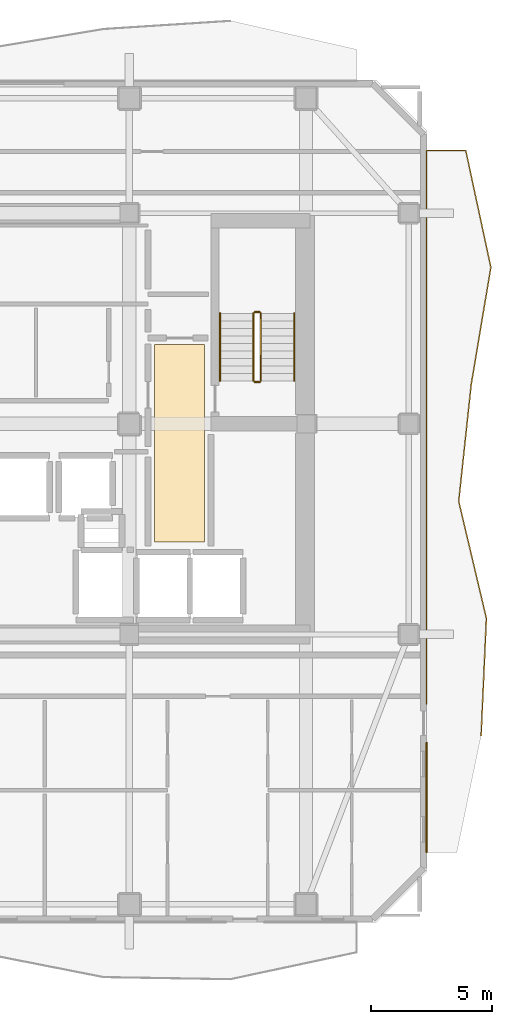
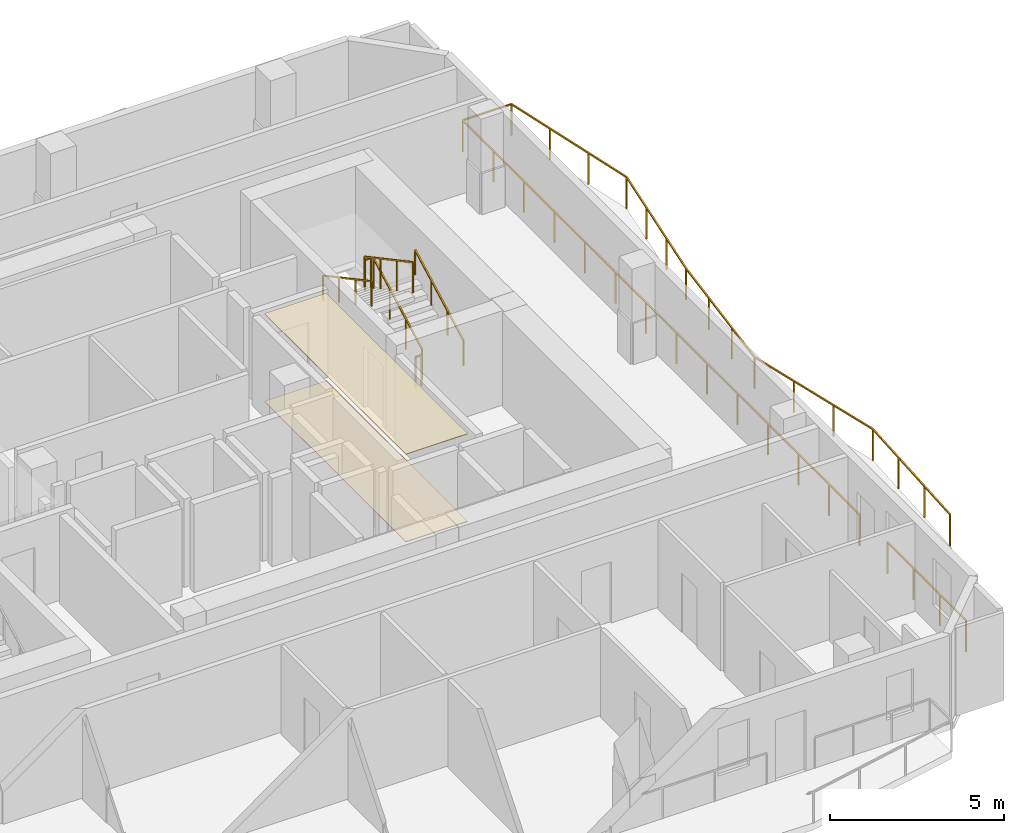
# One storey, part 9 of 10: 8 railings, 2 coverings.
"""IFC4 building model written with IfcOpenShell, lengths in metres."""

from ifc_helpers import new_model, si_unit, direction, frame, origin, origin_2d, place, context, subcontext, project, spatial, polyline, rectangle, outline, extrude, material, layer, layer_set, type_object, element, save


model = new_model("IFC4")

# Units and contexts
model_context = context("Model", 3, precision=1e-05, world=origin(), true_north=direction((0.0, 1.0)))
body_context = subcontext(model_context, "Body", "Model", "MODEL_VIEW")
ifc_project = project(units=[si_unit("LENGTHUNIT", "METRE"), si_unit("AREAUNIT", "SQUARE_METRE"), si_unit("VOLUMEUNIT", "CUBIC_METRE"), si_unit("PLANEANGLEUNIT", "RADIAN"), si_unit("MASSUNIT", "GRAM", prefix="KILO")], contexts=[model_context])

# Site, building, storey
site_placement = place(None, origin())
site = spatial("IfcSite", under=ifc_project, at=site_placement, CompositionType="ELEMENT")
building_placement = place(site_placement, origin())
building = spatial("IfcBuilding", under=site, at=building_placement, Name="Solanera Arch Residences", CompositionType="ELEMENT")
storey_placement = place(building_placement, frame((0.0, 0.0, 200.1201171875)))
storey = spatial("IfcBuildingStorey", under=building, at=storey_placement, Name="L58", CompositionType="ELEMENT", Elevation=200.1201171875)

# Railings
ifc_material_1 = material(Name="Steel S355 (ASTM A992 / A572 Grade 50)", Category="steel")
railing_type_1 = type_object("IfcRailingType", Name="Balustrade Railing BL-1100", PredefinedType="BALUSTRADE", material=ifc_material_1)
railing_1_placement = place(storey_placement, frame((43.737060546875, 17.8330078125, 0.0)))
element("IfcRailing", 1, at=railing_1_placement, inside=storey, type_object=railing_type_1, Name="L58 E Balcony Balustrade 1", PredefinedType="BALUSTRADE", context=body_context, shape_type="SweptSolid", body=[
    extrude(rectangle(XDim=0.048095703125, YDim=0.048095703125, at=origin_2d()), frame((0.0, 0.0, 1.09619140625), z_axis=(0.045055209953, 0.998984498406, 0.0), x_axis=(-0.998984498406, 0.045055209953, 0.0)), (0.0, 0.0, 1.0), 4.8388671875),
    extrude(rectangle(XDim=0.048095703125, YDim=0.048095703125, at=origin_2d()), frame((0.218017578125, 4.833984375, 1.09619140625), z_axis=(-0.230162585951, 0.973152189551, 0.0), x_axis=(-0.973152189551, -0.230162585951, 0.0)), (0.0, 0.0, 1.0), 4.96630859375),
    extrude(rectangle(XDim=0.048095703125, YDim=0.048095703125, at=origin_2d()), frame((-0.925048828125, 9.6669921875, 1.09619140625), z_axis=(0.106384146857, 0.994325104429, 0.0), x_axis=(-0.994325104429, 0.106384146857, 0.0)), (0.0, 0.0, 1.0), 4.860595703125),
    extrude(rectangle(XDim=0.048095703125, YDim=0.048095703125, at=origin_2d()), frame((-0.407958984375, 14.5, 1.09619140625), z_axis=(0.165416624584, 0.986223778009, 0.0), x_axis=(-0.986223778009, 0.165416624584, 0.0)), (0.0, 0.0, 1.0), 4.901611328125),
    extrude(rectangle(XDim=0.048095703125, YDim=0.048095703125, at=origin_2d()), frame((0.40283203125, 19.333984375, 1.09619140625), z_axis=(-0.21014289525, 0.97767068258, 0.0), x_axis=(-0.97767068258, -0.21014289525, 0.0)), (0.0, 0.0, 1.0), 4.943359375),
    extrude(rectangle(XDim=0.048095703125, YDim=0.048095703125, at=origin_2d()), frame((-0.635986328125, 24.1669921875, 1.09619140625), z_axis=(-1.0, 0.0, 0.0), x_axis=(0.0, -1.0, 0.0)), (0.0, 0.0, 1.0), 1.62109375),
    extrude(rectangle(XDim=0.048095703125, YDim=0.048095703125, at=origin_2d()), frame((-2.257080078125, 24.1669921875, 1.09619140625), z_axis=(0.0, -1.0, 0.0), x_axis=(1.0, 0.0, 0.0)), (0.0, 0.0, 1.0), 22.863037109375),
    extrude(rectangle(XDim=0.0419921875, YDim=0.0419921875, at=origin_2d()), origin(), (0.0, 0.0, 1.0), 1.072021484375),
    extrude(rectangle(XDim=0.0419921875, YDim=0.0419921875, at=origin_2d()), frame((0.07275390625, 1.611328125, 0.0)), (0.0, 0.0, 1.0), 1.072021484375),
    extrude(rectangle(XDim=0.0419921875, YDim=0.0419921875, at=origin_2d()), frame((0.145263671875, 3.22265625, 0.0)), (0.0, 0.0, 1.0), 1.072021484375),
    extrude(rectangle(XDim=0.0419921875, YDim=0.0419921875, at=origin_2d()), frame((0.218017578125, 4.833984375, 0.0)), (0.0, 0.0, 1.0), 1.072021484375),
    extrude(rectangle(XDim=0.0419921875, YDim=0.0419921875, at=origin_2d()), frame((-0.1630859375, 6.445068359375, 0.0)), (0.0, 0.0, 1.0), 1.072021484375),
    extrude(rectangle(XDim=0.0419921875, YDim=0.0419921875, at=origin_2d()), frame((-0.5439453125, 8.055908203125, 0.0)), (0.0, 0.0, 1.0), 1.072021484375),
    extrude(rectangle(XDim=0.0419921875, YDim=0.0419921875, at=origin_2d()), frame((-0.925048828125, 9.6669921875, 0.0)), (0.0, 0.0, 1.0), 1.072021484375),
    extrude(rectangle(XDim=0.0419921875, YDim=0.0419921875, at=origin_2d()), frame((-0.752685546875, 11.278076171875, 0.0)), (0.0, 0.0, 1.0), 1.072021484375),
    extrude(rectangle(XDim=0.0419921875, YDim=0.0419921875, at=origin_2d()), frame((-0.580322265625, 12.888916015625, 0.0)), (0.0, 0.0, 1.0), 1.072021484375),
    extrude(rectangle(XDim=0.0419921875, YDim=0.0419921875, at=origin_2d()), frame((-0.407958984375, 14.5, 0.0)), (0.0, 0.0, 1.0), 1.072021484375),
    extrude(rectangle(XDim=0.0419921875, YDim=0.0419921875, at=origin_2d()), frame((-0.1376953125, 16.111328125, 0.0)), (0.0, 0.0, 1.0), 1.072021484375),
    extrude(rectangle(XDim=0.0419921875, YDim=0.0419921875, at=origin_2d()), frame((0.132568359375, 17.72265625, 0.0)), (0.0, 0.0, 1.0), 1.072021484375),
    extrude(rectangle(XDim=0.0419921875, YDim=0.0419921875, at=origin_2d()), frame((0.40283203125, 19.333984375, 0.0)), (0.0, 0.0, 1.0), 1.072021484375),
    extrude(rectangle(XDim=0.0419921875, YDim=0.0419921875, at=origin_2d()), frame((0.056640625, 20.945068359375, 0.0)), (0.0, 0.0, 1.0), 1.072021484375),
    extrude(rectangle(XDim=0.0419921875, YDim=0.0419921875, at=origin_2d()), frame((-0.289794921875, 22.555908203125, 0.0)), (0.0, 0.0, 1.0), 1.072021484375),
    extrude(rectangle(XDim=0.0419921875, YDim=0.0419921875, at=origin_2d()), frame((-0.635986328125, 24.1669921875, 0.0)), (0.0, 0.0, 1.0), 1.072021484375),
    extrude(rectangle(XDim=0.0419921875, YDim=0.0419921875, at=origin_2d()), frame((-2.257080078125, 24.1669921875, 0.0)), (0.0, 0.0, 1.0), 1.072021484375),
    extrude(rectangle(XDim=0.0419921875, YDim=0.0419921875, at=origin_2d()), frame((-2.257080078125, 22.408203125, 0.0)), (0.0, 0.0, 1.0), 1.072021484375),
    extrude(rectangle(XDim=0.0419921875, YDim=0.0419921875, at=origin_2d()), frame((-2.257080078125, 20.649658203125, 0.0)), (0.0, 0.0, 1.0), 1.072021484375),
    extrude(rectangle(XDim=0.0419921875, YDim=0.0419921875, at=origin_2d()), frame((-2.257080078125, 18.890869140625, 0.0)), (0.0, 0.0, 1.0), 1.072021484375),
    extrude(rectangle(XDim=0.0419921875, YDim=0.0419921875, at=origin_2d()), frame((-2.257080078125, 17.13232421875, 0.0)), (0.0, 0.0, 1.0), 1.072021484375),
    extrude(rectangle(XDim=0.0419921875, YDim=0.0419921875, at=origin_2d()), frame((-2.257080078125, 15.37353515625, 0.0)), (0.0, 0.0, 1.0), 1.072021484375),
    extrude(rectangle(XDim=0.0419921875, YDim=0.0419921875, at=origin_2d()), frame((-2.257080078125, 13.61474609375, 0.0)), (0.0, 0.0, 1.0), 1.072021484375),
    extrude(rectangle(XDim=0.0419921875, YDim=0.0419921875, at=origin_2d()), frame((-2.257080078125, 11.856201171875, 0.0)), (0.0, 0.0, 1.0), 1.072021484375),
    extrude(rectangle(XDim=0.0419921875, YDim=0.0419921875, at=origin_2d()), frame((-2.257080078125, 10.097412109375, 0.0)), (0.0, 0.0, 1.0), 1.072021484375),
    extrude(rectangle(XDim=0.0419921875, YDim=0.0419921875, at=origin_2d()), frame((-2.257080078125, 8.338623046875, 0.0)), (0.0, 0.0, 1.0), 1.072021484375),
    extrude(rectangle(XDim=0.0419921875, YDim=0.0419921875, at=origin_2d()), frame((-2.257080078125, 6.580078125, 0.0)), (0.0, 0.0, 1.0), 1.072021484375),
    extrude(rectangle(XDim=0.0419921875, YDim=0.0419921875, at=origin_2d()), frame((-2.257080078125, 4.8212890625, 0.0)), (0.0, 0.0, 1.0), 1.072021484375),
    extrude(rectangle(XDim=0.0419921875, YDim=0.0419921875, at=origin_2d()), frame((-2.257080078125, 3.062744140625, 0.0)), (0.0, 0.0, 1.0), 1.072021484375),
    extrude(rectangle(XDim=0.0419921875, YDim=0.0419921875, at=origin_2d()), frame((-2.257080078125, 1.303955078125, 0.0)), (0.0, 0.0, 1.0), 1.072021484375),
])
railing_2_placement = place(storey_placement, frame((41.47998046875, 17.537109375, 0.0)))
element("IfcRailing", 2, at=railing_2_placement, inside=storey, type_object=railing_type_1, Name="L58 E Balcony Balustrade 2", PredefinedType="BALUSTRADE", context=body_context, shape_type="SweptSolid", body=[
    extrude(rectangle(XDim=0.048095703125, YDim=0.048095703125, at=origin_2d()), frame((0.0, 0.0, 1.09619140625), z_axis=(0.0, -1.0, 0.0), x_axis=(1.0, 0.0, 0.0)), (0.0, 0.0, 1.0), 4.537109375),
    extrude(rectangle(XDim=0.0419921875, YDim=0.0419921875, at=origin_2d()), origin(), (0.0, 0.0, 1.0), 1.072021484375),
    extrude(rectangle(XDim=0.0419921875, YDim=0.0419921875, at=origin_2d()), frame((0.0, -1.512451171875, 0.0)), (0.0, 0.0, 1.0), 1.072021484375),
    extrude(rectangle(XDim=0.0419921875, YDim=0.0419921875, at=origin_2d()), frame((0.0, -3.024658203125, 0.0)), (0.0, 0.0, 1.0), 1.072021484375),
    extrude(rectangle(XDim=0.0419921875, YDim=0.0419921875, at=origin_2d()), frame((0.0, -4.537109375, 0.0)), (0.0, 0.0, 1.0), 1.072021484375),
])

# Covering
ifc_material_2 = material(Name="Porcelain Acoustic Floor Tile", Category="ceramic")
ifc_layer_1 = layer(ifc_material_2, 0.02001953125)
ifc_layer_set_1 = layer_set([ifc_layer_1], Name="Porcelain Acoustic Floor Tile")
covering_type_1 = type_object("IfcCoveringType", Name="Porcelain Acoustic Floor Finish FLR-20", PredefinedType="FLOORING", material=ifc_layer_set_1)
covering_1_placement = place(storey_placement, origin())
element("IfcCovering", 3, at=covering_1_placement, inside=storey, type_object=covering_type_1, Name="L58-FFL-E Porcelain Floor Finish", PredefinedType="FLOORING", context=body_context, shape_type="SweptSolid", body=[
    extrude(outline(polyline([(32.304931640625, 25.824951171875), (30.25, 25.824951171875), (30.25, 33.97509765625), (32.304931640625, 33.97509765625), (32.304931640625, 25.824951171875)])), origin(), (0.0, 0.0, 1.0), 0.019775390625),
])

# Railings
ifc_material_3 = material(Name="Steel S355 (ASTM A992 / A572 Grade 50)", Category="steel")
railing_type_2 = type_object("IfcRailingType", Name="Stair Guardrail GR-1100", PredefinedType="GUARDRAIL", material=ifc_material_3)
railing_3_placement = place(storey_placement, frame((34.6298828125, 32.47998046875, 0.15087890625)))
element("IfcRailing", 4, at=railing_3_placement, inside=storey, type_object=railing_type_2, Name="L58 ST-T2 stair guard 1", PredefinedType="GUARDRAIL", context=body_context, shape_type="SweptSolid", body=[
    extrude(rectangle(XDim=0.048095703125, YDim=0.048095703125, at=origin_2d()), frame((0.0, 0.0, 1.076171875), z_axis=(0.0, 0.881580869306, 0.472033018838), x_axis=(-1.0, 0.0, 0.0)), (0.0, 0.0, 1.0), 3.164794921875),
    extrude(rectangle(XDim=0.0419921875, YDim=0.0419921875, at=origin_2d()), origin(), (0.0, 0.0, 1.0), 1.052001953125),
    extrude(rectangle(XDim=0.0419921875, YDim=0.0419921875, at=origin_2d()), frame((0.0, 0.929931640625, 0.498046875)), (0.0, 0.0, 1.0), 1.052001953125),
    extrude(rectangle(XDim=0.0419921875, YDim=0.0419921875, at=origin_2d()), frame((0.0, 1.860107421875, 0.995849609375)), (0.0, 0.0, 1.0), 1.052001953125),
    extrude(rectangle(XDim=0.0419921875, YDim=0.0419921875, at=origin_2d()), frame((0.0, 2.7900390625, 1.493896484375)), (0.0, 0.0, 1.0), 1.052001953125),
])
railing_4_placement = place(storey_placement, frame((34.580078125, 35.320068359375, 1.644775390625)))
element("IfcRailing", 5, at=railing_4_placement, inside=storey, type_object=railing_type_2, Name="L58 ST-T2 stair guard 2", PredefinedType="GUARDRAIL", context=body_context, shape_type="SweptSolid", body=[
    extrude(rectangle(XDim=0.048095703125, YDim=0.048095703125, at=origin_2d()), frame((0.0, 0.0, 1.076171875), z_axis=(-1.0, 0.0, 0.0), x_axis=(0.0, -1.0, 0.0)), (0.0, 0.0, 1.0), 0.2001953125),
    extrude(rectangle(XDim=0.0419921875, YDim=0.0419921875, at=origin_2d()), origin(), (0.0, 0.0, 1.0), 1.052001953125),
    extrude(rectangle(XDim=0.0419921875, YDim=0.0419921875, at=origin_2d()), frame((-0.2001953125, 0.0, 0.0)), (0.0, 0.0, 1.0), 1.052001953125),
])
railing_5_placement = place(storey_placement, frame((34.330078125, 35.27001953125, 1.810791015625)))
element("IfcRailing", 6, at=railing_5_placement, inside=storey, type_object=railing_type_2, Name="L58 ST-T2 stair guard 3", PredefinedType="GUARDRAIL", context=body_context, shape_type="SweptSolid", body=[
    extrude(rectangle(XDim=0.048095703125, YDim=0.048095703125, at=origin_2d()), frame((0.0, 0.0, 1.076171875), z_axis=(0.0, -0.881548766853, 0.472092969298), x_axis=(1.0, 0.0, 0.0)), (0.0, 0.0, 1.0), 3.1650390625),
    extrude(rectangle(XDim=0.0419921875, YDim=0.0419921875, at=origin_2d()), origin(), (0.0, 0.0, 1.0), 1.052001953125),
    extrude(rectangle(XDim=0.0419921875, YDim=0.0419921875, at=origin_2d()), frame((0.0, -0.929931640625, 0.498046875)), (0.0, 0.0, 1.0), 1.052001953125),
    extrude(rectangle(XDim=0.0419921875, YDim=0.0419921875, at=origin_2d()), frame((0.0, -1.860107421875, 0.99609375)), (0.0, 0.0, 1.0), 1.052001953125),
    extrude(rectangle(XDim=0.0419921875, YDim=0.0419921875, at=origin_2d()), frame((0.0, -2.7900390625, 1.494140625)), (0.0, 0.0, 1.0), 1.052001953125),
])
railing_6_placement = place(storey_placement, frame((34.580078125, 32.429931640625, -0.01513671875)))
element("IfcRailing", 7, at=railing_6_placement, inside=storey, type_object=railing_type_2, Name="L58 ST-T2 stair guard 4", PredefinedType="GUARDRAIL", context=body_context, shape_type="SweptSolid", body=[
    extrude(rectangle(XDim=0.048095703125, YDim=0.048095703125, at=origin_2d()), frame((0.0, 0.0, 1.076171875), z_axis=(-1.0, 0.0, 0.0), x_axis=(0.0, -1.0, 0.0)), (0.0, 0.0, 1.0), 0.2001953125),
    extrude(rectangle(XDim=0.0419921875, YDim=0.0419921875, at=origin_2d()), origin(), (0.0, 0.0, 1.0), 1.052001953125),
    extrude(rectangle(XDim=0.0419921875, YDim=0.0419921875, at=origin_2d()), frame((-0.2001953125, 0.0, 0.0)), (0.0, 0.0, 1.0), 1.052001953125),
])
ifc_material_4 = material(Name="Steel S355 (ASTM A992 / A572 Grade 50)", Category="steel")
railing_type_3 = type_object("IfcRailingType", Name="Stair Wall Handrail HR-920", PredefinedType="HANDRAIL", material=ifc_material_4)
railing_7_placement = place(storey_placement, frame((36.010009765625, 32.47998046875, 0.165771484375)))
element("IfcRailing", 8, at=railing_7_placement, inside=storey, type_object=railing_type_3, Name="L58 ST-T2 stair handrail 1", PredefinedType="HANDRAIL", context=body_context, shape_type="SweptSolid", body=[
    extrude(rectangle(XDim=0.048095703125, YDim=0.048095703125, at=origin_2d()), frame((0.0, 0.0, 0.8759765625), z_axis=(0.0, 0.881548766853, 0.472092969298), x_axis=(-1.0, 0.0, 0.0)), (0.0, 0.0, 1.0), 3.1650390625),
    extrude(rectangle(XDim=0.0419921875, YDim=0.0419921875, at=origin_2d()), origin(), (0.0, 0.0, 1.0), 0.851806640625),
    extrude(rectangle(XDim=0.0419921875, YDim=0.0419921875, at=origin_2d()), frame((0.0, 0.929931640625, 0.498046875)), (0.0, 0.0, 1.0), 0.851806640625),
    extrude(rectangle(XDim=0.0419921875, YDim=0.0419921875, at=origin_2d()), frame((0.0, 1.860107421875, 0.99609375)), (0.0, 0.0, 1.0), 0.851806640625),
    extrude(rectangle(XDim=0.0419921875, YDim=0.0419921875, at=origin_2d()), frame((0.0, 2.7900390625, 1.494140625)), (0.0, 0.0, 1.0), 0.851806640625),
])
railing_8_placement = place(storey_placement, frame((32.949951171875, 35.27001953125, 1.825927734375)))
element("IfcRailing", 9, at=railing_8_placement, inside=storey, type_object=railing_type_3, Name="L58 ST-T2 stair handrail 2", PredefinedType="HANDRAIL", context=body_context, shape_type="SweptSolid", body=[
    extrude(rectangle(XDim=0.048095703125, YDim=0.048095703125, at=origin_2d()), frame((0.0, 0.0, 0.8759765625), z_axis=(0.0, -0.881580869306, 0.472033018838), x_axis=(1.0, 0.0, 0.0)), (0.0, 0.0, 1.0), 3.164794921875),
    extrude(rectangle(XDim=0.0419921875, YDim=0.0419921875, at=origin_2d()), origin(), (0.0, 0.0, 1.0), 0.851806640625),
    extrude(rectangle(XDim=0.0419921875, YDim=0.0419921875, at=origin_2d()), frame((0.0, -0.929931640625, 0.498046875)), (0.0, 0.0, 1.0), 0.851806640625),
    extrude(rectangle(XDim=0.0419921875, YDim=0.0419921875, at=origin_2d()), frame((0.0, -1.860107421875, 0.995849609375)), (0.0, 0.0, 1.0), 0.851806640625),
    extrude(rectangle(XDim=0.0419921875, YDim=0.0419921875, at=origin_2d()), frame((0.0, -2.7900390625, 1.493896484375)), (0.0, 0.0, 1.0), 0.851806640625),
])

# Covering
ifc_material_5 = material(Name="Mineral Fibre Acoustic Ceiling Board", Category="gypsum")
ifc_layer_2 = layer(ifc_material_5, 0.02490234375)
ifc_layer_set_2 = layer_set([ifc_layer_2], Name="Mineral Fibre Acoustic Ceiling Board")
covering_type_2 = type_object("IfcCoveringType", Name="Suspended Acoustic Ceiling Board CLG-25", PredefinedType="CEILING", material=ifc_layer_set_2)
covering_2_placement = place(storey_placement, frame((0.0, 0.0, 3.074951171875)))
element("IfcCovering", 10, at=covering_2_placement, inside=storey, type_object=covering_type_2, Name="L58-FFL-E Acoustic Ceiling", PredefinedType="CEILING", context=body_context, shape_type="SweptSolid", body=[
    extrude(outline(polyline([(32.304931640625, 25.824951171875), (30.25, 25.824951171875), (30.25, 33.97509765625), (32.304931640625, 33.97509765625), (32.304931640625, 25.824951171875)])), origin(), (0.0, 0.0, 1.0), 0.02490234375),
])

save(model, "model.ifc")
